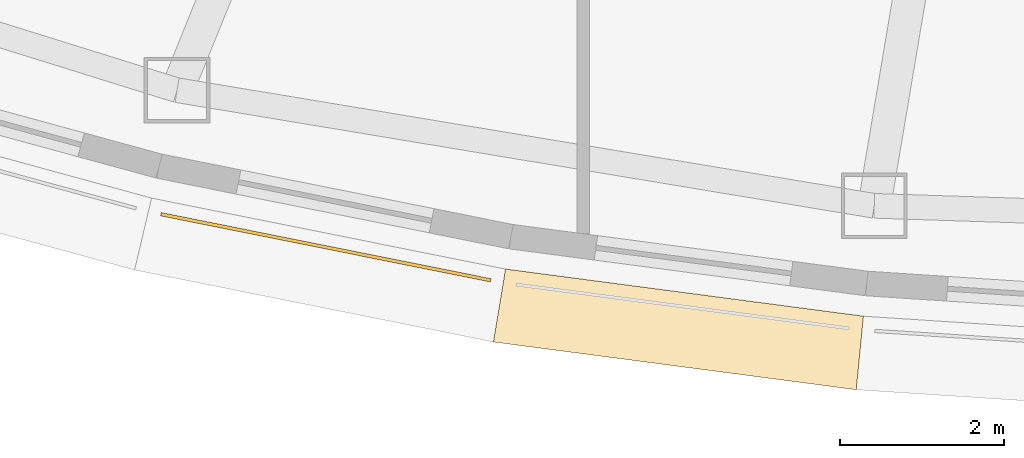
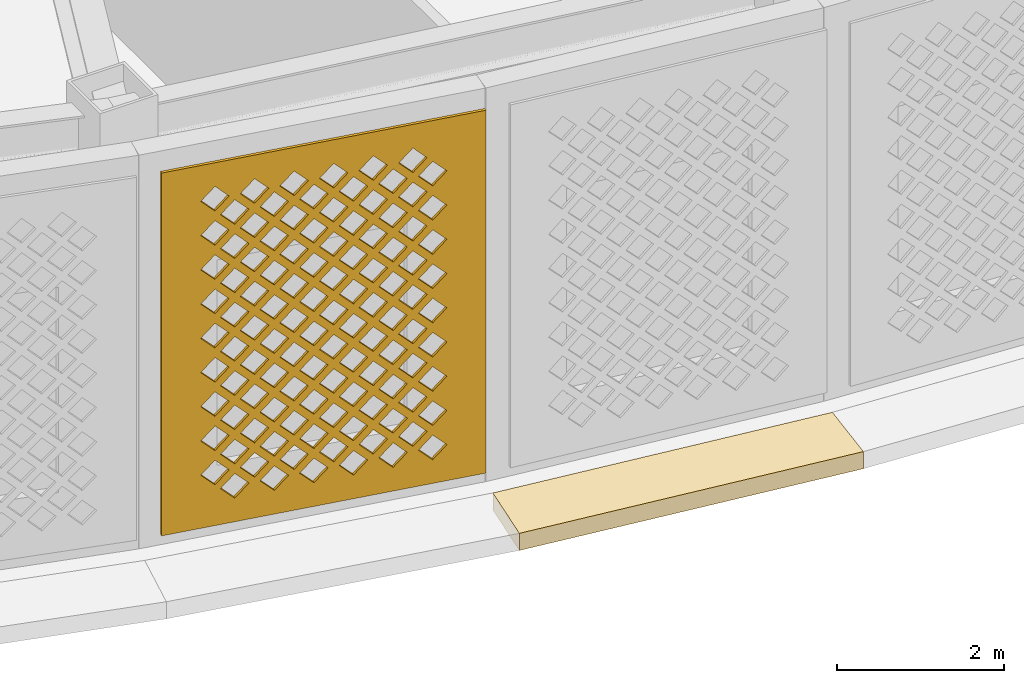
# One storey, part 55 of 74: 2 coverings.
"""IFC4 building model written with IfcOpenShell, lengths in metres."""

from ifc_helpers import new_model, si_unit, direction, frame, origin, place, context, subcontext, project, spatial, polyline, outline, extrude, material, layer, layer_set, type_object, element, save


model = new_model("IFC4")

# Units and contexts
model_context = context("Model", 3, precision=1e-05, world=origin(), true_north=direction((0.0, 1.0)))
body_context = subcontext(model_context, "Body", "Model", "MODEL_VIEW")
ifc_project = project(units=[si_unit("LENGTHUNIT", "METRE"), si_unit("AREAUNIT", "SQUARE_METRE"), si_unit("VOLUMEUNIT", "CUBIC_METRE"), si_unit("PLANEANGLEUNIT", "RADIAN"), si_unit("MASSUNIT", "GRAM", prefix="KILO")], contexts=[model_context])

# Site, building, storey
site_placement = place(None, origin())
site = spatial("IfcSite", under=ifc_project, at=site_placement, CompositionType="ELEMENT")
building_placement = place(site_placement, origin())
building = spatial("IfcBuilding", under=site, at=building_placement, Name="Noorbagh Ring Tower", CompositionType="ELEMENT")
storey_placement = place(building_placement, frame((0.0, 0.0, 13.5)))
storey = spatial("IfcBuildingStorey", under=building, at=storey_placement, Name="L02", CompositionType="ELEMENT", Elevation=13.5)

# Coverings
ifc_material_1 = material(Name="Red sandstone eave", Category="masonry")
covering_type_1 = type_object("IfcCoveringType", Name="STY-CHHAJJA", PredefinedType="USERDEFINED", material=ifc_material_1)
covering_1_placement = place(storey_placement, frame((0.0, 0.0, -0.25)))
element("IfcCovering", 1, at=covering_1_placement, inside=storey, type_object=covering_type_1, Name="Chhajja eave", ObjectType="CHHAJJA", PredefinedType="USERDEFINED", context=body_context, shape_type="SweptSolid", body=[
    extrude(outline(polyline([(-10.945556640625, -39.103759765625), (-6.586181640625, -39.677978515625), (-6.67431640625, -40.573974609375), (-11.093017578125, -39.9921875), (-10.945556640625, -39.103759765625)])), origin(), (0.0, 0.0, 1.0), 0.25),
])
ifc_material_2 = material(Name="Red sandstone jali", Category="masonry")
ifc_layer = layer(ifc_material_2, 0.0400390625)
ifc_layer_set = layer_set([ifc_layer], Name="Red sandstone jali")
covering_type_2 = type_object("IfcCoveringType", Name="STY-JALI", PredefinedType="USERDEFINED", material=ifc_layer_set)
covering_2_placement = place(storey_placement, frame((-15.147216796875, -38.455322265625, 0.449951171875), z_axis=(-0.196528665711, -0.980498079322, 0.0), x_axis=(0.980498079322, -0.196528665711, 0.0)))
element("IfcCovering", 2, at=covering_2_placement, inside=storey, type_object=covering_type_2, Name="Jali screen", ObjectType="SCREEN", PredefinedType="USERDEFINED", context=body_context, shape_type="SweptSolid", body=[
    extrude(outline(polyline([(0.0, 0.0), (4.096923828125, 0.0), (4.096923828125, 5.300048828125), (0.0, 5.300048828125), (0.0, 0.0)]), holes=[polyline([(0.743408203125, 0.52490234375), (0.923583984375, 0.344970703125), (1.103515625, 0.52490234375), (0.923583984375, 0.705078125), (0.743408203125, 0.52490234375)]), polyline([(1.243408203125, 0.52490234375), (1.423583984375, 0.344970703125), (1.603515625, 0.52490234375), (1.423583984375, 0.705078125), (1.243408203125, 0.52490234375)]), polyline([(1.743408203125, 0.52490234375), (1.923583984375, 0.344970703125), (2.103515625, 0.52490234375), (1.923583984375, 0.705078125), (1.743408203125, 0.52490234375)]), polyline([(2.243408203125, 0.52490234375), (2.423583984375, 0.344970703125), (2.603515625, 0.52490234375), (2.423583984375, 0.705078125), (2.243408203125, 0.52490234375)]), polyline([(2.743408203125, 0.52490234375), (2.923583984375, 0.344970703125), (3.103515625, 0.52490234375), (2.923583984375, 0.705078125), (2.743408203125, 0.52490234375)]), polyline([(3.243408203125, 0.52490234375), (3.423583984375, 0.344970703125), (3.603515625, 0.52490234375), (3.423583984375, 0.705078125), (3.243408203125, 0.52490234375)]), polyline([(0.493408203125, 0.77490234375), (0.673583984375, 0.594970703125), (0.853515625, 0.77490234375), (0.673583984375, 0.955078125), (0.493408203125, 0.77490234375)]), polyline([(0.993408203125, 0.77490234375), (1.173583984375, 0.594970703125), (1.353515625, 0.77490234375), (1.173583984375, 0.955078125), (0.993408203125, 0.77490234375)]), polyline([(1.493408203125, 0.77490234375), (1.673583984375, 0.594970703125), (1.853515625, 0.77490234375), (1.673583984375, 0.955078125), (1.493408203125, 0.77490234375)]), polyline([(1.993408203125, 0.77490234375), (2.173583984375, 0.594970703125), (2.353515625, 0.77490234375), (2.173583984375, 0.955078125), (1.993408203125, 0.77490234375)]), polyline([(2.493408203125, 0.77490234375), (2.673583984375, 0.594970703125), (2.853515625, 0.77490234375), (2.673583984375, 0.955078125), (2.493408203125, 0.77490234375)]), polyline([(2.993408203125, 0.77490234375), (3.173583984375, 0.594970703125), (3.353515625, 0.77490234375), (3.173583984375, 0.955078125), (2.993408203125, 0.77490234375)]), polyline([(0.743408203125, 1.02490234375), (0.923583984375, 0.844970703125), (1.103515625, 1.02490234375), (0.923583984375, 1.205078125), (0.743408203125, 1.02490234375)]), polyline([(1.243408203125, 1.02490234375), (1.423583984375, 0.844970703125), (1.603515625, 1.02490234375), (1.423583984375, 1.205078125), (1.243408203125, 1.02490234375)]), polyline([(1.743408203125, 1.02490234375), (1.923583984375, 0.844970703125), (2.103515625, 1.02490234375), (1.923583984375, 1.205078125), (1.743408203125, 1.02490234375)]), polyline([(2.243408203125, 1.02490234375), (2.423583984375, 0.844970703125), (2.603515625, 1.02490234375), (2.423583984375, 1.205078125), (2.243408203125, 1.02490234375)]), polyline([(2.743408203125, 1.02490234375), (2.923583984375, 0.844970703125), (3.103515625, 1.02490234375), (2.923583984375, 1.205078125), (2.743408203125, 1.02490234375)]), polyline([(3.243408203125, 1.02490234375), (3.423583984375, 0.844970703125), (3.603515625, 1.02490234375), (3.423583984375, 1.205078125), (3.243408203125, 1.02490234375)]), polyline([(0.493408203125, 1.27490234375), (0.673583984375, 1.094970703125), (0.853515625, 1.27490234375), (0.673583984375, 1.455078125), (0.493408203125, 1.27490234375)]), polyline([(0.993408203125, 1.27490234375), (1.173583984375, 1.094970703125), (1.353515625, 1.27490234375), (1.173583984375, 1.455078125), (0.993408203125, 1.27490234375)]), polyline([(1.493408203125, 1.27490234375), (1.673583984375, 1.094970703125), (1.853515625, 1.27490234375), (1.673583984375, 1.455078125), (1.493408203125, 1.27490234375)]), polyline([(1.993408203125, 1.27490234375), (2.173583984375, 1.094970703125), (2.353515625, 1.27490234375), (2.173583984375, 1.455078125), (1.993408203125, 1.27490234375)]), polyline([(2.493408203125, 1.27490234375), (2.673583984375, 1.094970703125), (2.853515625, 1.27490234375), (2.673583984375, 1.455078125), (2.493408203125, 1.27490234375)]), polyline([(2.993408203125, 1.27490234375), (3.173583984375, 1.094970703125), (3.353515625, 1.27490234375), (3.173583984375, 1.455078125), (2.993408203125, 1.27490234375)]), polyline([(0.743408203125, 1.52490234375), (0.923583984375, 1.344970703125), (1.103515625, 1.52490234375), (0.923583984375, 1.705078125), (0.743408203125, 1.52490234375)]), polyline([(1.243408203125, 1.52490234375), (1.423583984375, 1.344970703125), (1.603515625, 1.52490234375), (1.423583984375, 1.705078125), (1.243408203125, 1.52490234375)]), polyline([(1.743408203125, 1.52490234375), (1.923583984375, 1.344970703125), (2.103515625, 1.52490234375), (1.923583984375, 1.705078125), (1.743408203125, 1.52490234375)]), polyline([(2.243408203125, 1.52490234375), (2.423583984375, 1.344970703125), (2.603515625, 1.52490234375), (2.423583984375, 1.705078125), (2.243408203125, 1.52490234375)]), polyline([(2.743408203125, 1.52490234375), (2.923583984375, 1.344970703125), (3.103515625, 1.52490234375), (2.923583984375, 1.705078125), (2.743408203125, 1.52490234375)]), polyline([(3.243408203125, 1.52490234375), (3.423583984375, 1.344970703125), (3.603515625, 1.52490234375), (3.423583984375, 1.705078125), (3.243408203125, 1.52490234375)]), polyline([(0.493408203125, 1.77490234375), (0.673583984375, 1.594970703125), (0.853515625, 1.77490234375), (0.673583984375, 1.955078125), (0.493408203125, 1.77490234375)]), polyline([(0.993408203125, 1.77490234375), (1.173583984375, 1.594970703125), (1.353515625, 1.77490234375), (1.173583984375, 1.955078125), (0.993408203125, 1.77490234375)]), polyline([(1.493408203125, 1.77490234375), (1.673583984375, 1.594970703125), (1.853515625, 1.77490234375), (1.673583984375, 1.955078125), (1.493408203125, 1.77490234375)]), polyline([(1.993408203125, 1.77490234375), (2.173583984375, 1.594970703125), (2.353515625, 1.77490234375), (2.173583984375, 1.955078125), (1.993408203125, 1.77490234375)]), polyline([(2.493408203125, 1.77490234375), (2.673583984375, 1.594970703125), (2.853515625, 1.77490234375), (2.673583984375, 1.955078125), (2.493408203125, 1.77490234375)]), polyline([(2.993408203125, 1.77490234375), (3.173583984375, 1.594970703125), (3.353515625, 1.77490234375), (3.173583984375, 1.955078125), (2.993408203125, 1.77490234375)]), polyline([(0.743408203125, 2.02490234375), (0.923583984375, 1.844970703125), (1.103515625, 2.02490234375), (0.923583984375, 2.205078125), (0.743408203125, 2.02490234375)]), polyline([(1.243408203125, 2.02490234375), (1.423583984375, 1.844970703125), (1.603515625, 2.02490234375), (1.423583984375, 2.205078125), (1.243408203125, 2.02490234375)]), polyline([(1.743408203125, 2.02490234375), (1.923583984375, 1.844970703125), (2.103515625, 2.02490234375), (1.923583984375, 2.205078125), (1.743408203125, 2.02490234375)]), polyline([(2.243408203125, 2.02490234375), (2.423583984375, 1.844970703125), (2.603515625, 2.02490234375), (2.423583984375, 2.205078125), (2.243408203125, 2.02490234375)]), polyline([(2.743408203125, 2.02490234375), (2.923583984375, 1.844970703125), (3.103515625, 2.02490234375), (2.923583984375, 2.205078125), (2.743408203125, 2.02490234375)]), polyline([(3.243408203125, 2.02490234375), (3.423583984375, 1.844970703125), (3.603515625, 2.02490234375), (3.423583984375, 2.205078125), (3.243408203125, 2.02490234375)]), polyline([(0.493408203125, 2.27490234375), (0.673583984375, 2.094970703125), (0.853515625, 2.27490234375), (0.673583984375, 2.455078125), (0.493408203125, 2.27490234375)]), polyline([(0.993408203125, 2.27490234375), (1.173583984375, 2.094970703125), (1.353515625, 2.27490234375), (1.173583984375, 2.455078125), (0.993408203125, 2.27490234375)]), polyline([(1.493408203125, 2.27490234375), (1.673583984375, 2.094970703125), (1.853515625, 2.27490234375), (1.673583984375, 2.455078125), (1.493408203125, 2.27490234375)]), polyline([(1.993408203125, 2.27490234375), (2.173583984375, 2.094970703125), (2.353515625, 2.27490234375), (2.173583984375, 2.455078125), (1.993408203125, 2.27490234375)]), polyline([(2.493408203125, 2.27490234375), (2.673583984375, 2.094970703125), (2.853515625, 2.27490234375), (2.673583984375, 2.455078125), (2.493408203125, 2.27490234375)]), polyline([(2.993408203125, 2.27490234375), (3.173583984375, 2.094970703125), (3.353515625, 2.27490234375), (3.173583984375, 2.455078125), (2.993408203125, 2.27490234375)]), polyline([(0.743408203125, 2.52490234375), (0.923583984375, 2.344970703125), (1.103515625, 2.52490234375), (0.923583984375, 2.705078125), (0.743408203125, 2.52490234375)]), polyline([(1.243408203125, 2.52490234375), (1.423583984375, 2.344970703125), (1.603515625, 2.52490234375), (1.423583984375, 2.705078125), (1.243408203125, 2.52490234375)]), polyline([(1.743408203125, 2.52490234375), (1.923583984375, 2.344970703125), (2.103515625, 2.52490234375), (1.923583984375, 2.705078125), (1.743408203125, 2.52490234375)]), polyline([(2.243408203125, 2.52490234375), (2.423583984375, 2.344970703125), (2.603515625, 2.52490234375), (2.423583984375, 2.705078125), (2.243408203125, 2.52490234375)]), polyline([(2.743408203125, 2.52490234375), (2.923583984375, 2.344970703125), (3.103515625, 2.52490234375), (2.923583984375, 2.705078125), (2.743408203125, 2.52490234375)]), polyline([(3.243408203125, 2.52490234375), (3.423583984375, 2.344970703125), (3.603515625, 2.52490234375), (3.423583984375, 2.705078125), (3.243408203125, 2.52490234375)]), polyline([(0.493408203125, 2.77490234375), (0.673583984375, 2.594970703125), (0.853515625, 2.77490234375), (0.673583984375, 2.955078125), (0.493408203125, 2.77490234375)]), polyline([(0.993408203125, 2.77490234375), (1.173583984375, 2.594970703125), (1.353515625, 2.77490234375), (1.173583984375, 2.955078125), (0.993408203125, 2.77490234375)]), polyline([(1.493408203125, 2.77490234375), (1.673583984375, 2.594970703125), (1.853515625, 2.77490234375), (1.673583984375, 2.955078125), (1.493408203125, 2.77490234375)]), polyline([(1.993408203125, 2.77490234375), (2.173583984375, 2.594970703125), (2.353515625, 2.77490234375), (2.173583984375, 2.955078125), (1.993408203125, 2.77490234375)]), polyline([(2.493408203125, 2.77490234375), (2.673583984375, 2.594970703125), (2.853515625, 2.77490234375), (2.673583984375, 2.955078125), (2.493408203125, 2.77490234375)]), polyline([(2.993408203125, 2.77490234375), (3.173583984375, 2.594970703125), (3.353515625, 2.77490234375), (3.173583984375, 2.955078125), (2.993408203125, 2.77490234375)]), polyline([(0.743408203125, 3.02490234375), (0.923583984375, 2.844970703125), (1.103515625, 3.02490234375), (0.923583984375, 3.205078125), (0.743408203125, 3.02490234375)]), polyline([(1.243408203125, 3.02490234375), (1.423583984375, 2.844970703125), (1.603515625, 3.02490234375), (1.423583984375, 3.205078125), (1.243408203125, 3.02490234375)]), polyline([(1.743408203125, 3.02490234375), (1.923583984375, 2.844970703125), (2.103515625, 3.02490234375), (1.923583984375, 3.205078125), (1.743408203125, 3.02490234375)]), polyline([(2.243408203125, 3.02490234375), (2.423583984375, 2.844970703125), (2.603515625, 3.02490234375), (2.423583984375, 3.205078125), (2.243408203125, 3.02490234375)]), polyline([(2.743408203125, 3.02490234375), (2.923583984375, 2.844970703125), (3.103515625, 3.02490234375), (2.923583984375, 3.205078125), (2.743408203125, 3.02490234375)]), polyline([(3.243408203125, 3.02490234375), (3.423583984375, 2.844970703125), (3.603515625, 3.02490234375), (3.423583984375, 3.205078125), (3.243408203125, 3.02490234375)]), polyline([(0.493408203125, 3.27490234375), (0.673583984375, 3.094970703125), (0.853515625, 3.27490234375), (0.673583984375, 3.455078125), (0.493408203125, 3.27490234375)]), polyline([(0.993408203125, 3.27490234375), (1.173583984375, 3.094970703125), (1.353515625, 3.27490234375), (1.173583984375, 3.455078125), (0.993408203125, 3.27490234375)]), polyline([(1.493408203125, 3.27490234375), (1.673583984375, 3.094970703125), (1.853515625, 3.27490234375), (1.673583984375, 3.455078125), (1.493408203125, 3.27490234375)]), polyline([(1.993408203125, 3.27490234375), (2.173583984375, 3.094970703125), (2.353515625, 3.27490234375), (2.173583984375, 3.455078125), (1.993408203125, 3.27490234375)]), polyline([(2.493408203125, 3.27490234375), (2.673583984375, 3.094970703125), (2.853515625, 3.27490234375), (2.673583984375, 3.455078125), (2.493408203125, 3.27490234375)]), polyline([(2.993408203125, 3.27490234375), (3.173583984375, 3.094970703125), (3.353515625, 3.27490234375), (3.173583984375, 3.455078125), (2.993408203125, 3.27490234375)]), polyline([(0.743408203125, 3.52490234375), (0.923583984375, 3.344970703125), (1.103515625, 3.52490234375), (0.923583984375, 3.705078125), (0.743408203125, 3.52490234375)]), polyline([(1.243408203125, 3.52490234375), (1.423583984375, 3.344970703125), (1.603515625, 3.52490234375), (1.423583984375, 3.705078125), (1.243408203125, 3.52490234375)]), polyline([(1.743408203125, 3.52490234375), (1.923583984375, 3.344970703125), (2.103515625, 3.52490234375), (1.923583984375, 3.705078125), (1.743408203125, 3.52490234375)]), polyline([(2.243408203125, 3.52490234375), (2.423583984375, 3.344970703125), (2.603515625, 3.52490234375), (2.423583984375, 3.705078125), (2.243408203125, 3.52490234375)]), polyline([(2.743408203125, 3.52490234375), (2.923583984375, 3.344970703125), (3.103515625, 3.52490234375), (2.923583984375, 3.705078125), (2.743408203125, 3.52490234375)]), polyline([(3.243408203125, 3.52490234375), (3.423583984375, 3.344970703125), (3.603515625, 3.52490234375), (3.423583984375, 3.705078125), (3.243408203125, 3.52490234375)]), polyline([(0.493408203125, 3.77490234375), (0.673583984375, 3.594970703125), (0.853515625, 3.77490234375), (0.673583984375, 3.955078125), (0.493408203125, 3.77490234375)]), polyline([(0.993408203125, 3.77490234375), (1.173583984375, 3.594970703125), (1.353515625, 3.77490234375), (1.173583984375, 3.955078125), (0.993408203125, 3.77490234375)]), polyline([(1.493408203125, 3.77490234375), (1.673583984375, 3.594970703125), (1.853515625, 3.77490234375), (1.673583984375, 3.955078125), (1.493408203125, 3.77490234375)]), polyline([(1.993408203125, 3.77490234375), (2.173583984375, 3.594970703125), (2.353515625, 3.77490234375), (2.173583984375, 3.955078125), (1.993408203125, 3.77490234375)]), polyline([(2.493408203125, 3.77490234375), (2.673583984375, 3.594970703125), (2.853515625, 3.77490234375), (2.673583984375, 3.955078125), (2.493408203125, 3.77490234375)]), polyline([(2.993408203125, 3.77490234375), (3.173583984375, 3.594970703125), (3.353515625, 3.77490234375), (3.173583984375, 3.955078125), (2.993408203125, 3.77490234375)]), polyline([(0.743408203125, 4.02490234375), (0.923583984375, 3.844970703125), (1.103515625, 4.02490234375), (0.923583984375, 4.205078125), (0.743408203125, 4.02490234375)]), polyline([(1.243408203125, 4.02490234375), (1.423583984375, 3.844970703125), (1.603515625, 4.02490234375), (1.423583984375, 4.205078125), (1.243408203125, 4.02490234375)]), polyline([(1.743408203125, 4.02490234375), (1.923583984375, 3.844970703125), (2.103515625, 4.02490234375), (1.923583984375, 4.205078125), (1.743408203125, 4.02490234375)]), polyline([(2.243408203125, 4.02490234375), (2.423583984375, 3.844970703125), (2.603515625, 4.02490234375), (2.423583984375, 4.205078125), (2.243408203125, 4.02490234375)]), polyline([(2.743408203125, 4.02490234375), (2.923583984375, 3.844970703125), (3.103515625, 4.02490234375), (2.923583984375, 4.205078125), (2.743408203125, 4.02490234375)]), polyline([(3.243408203125, 4.02490234375), (3.423583984375, 3.844970703125), (3.603515625, 4.02490234375), (3.423583984375, 4.205078125), (3.243408203125, 4.02490234375)]), polyline([(0.493408203125, 4.27490234375), (0.673583984375, 4.094970703125), (0.853515625, 4.27490234375), (0.673583984375, 4.455078125), (0.493408203125, 4.27490234375)]), polyline([(0.993408203125, 4.27490234375), (1.173583984375, 4.094970703125), (1.353515625, 4.27490234375), (1.173583984375, 4.455078125), (0.993408203125, 4.27490234375)]), polyline([(1.493408203125, 4.27490234375), (1.673583984375, 4.094970703125), (1.853515625, 4.27490234375), (1.673583984375, 4.455078125), (1.493408203125, 4.27490234375)]), polyline([(1.993408203125, 4.27490234375), (2.173583984375, 4.094970703125), (2.353515625, 4.27490234375), (2.173583984375, 4.455078125), (1.993408203125, 4.27490234375)]), polyline([(2.493408203125, 4.27490234375), (2.673583984375, 4.094970703125), (2.853515625, 4.27490234375), (2.673583984375, 4.455078125), (2.493408203125, 4.27490234375)]), polyline([(2.993408203125, 4.27490234375), (3.173583984375, 4.094970703125), (3.353515625, 4.27490234375), (3.173583984375, 4.455078125), (2.993408203125, 4.27490234375)]), polyline([(0.743408203125, 4.52490234375), (0.923583984375, 4.344970703125), (1.103515625, 4.52490234375), (0.923583984375, 4.705078125), (0.743408203125, 4.52490234375)]), polyline([(1.243408203125, 4.52490234375), (1.423583984375, 4.344970703125), (1.603515625, 4.52490234375), (1.423583984375, 4.705078125), (1.243408203125, 4.52490234375)]), polyline([(1.743408203125, 4.52490234375), (1.923583984375, 4.344970703125), (2.103515625, 4.52490234375), (1.923583984375, 4.705078125), (1.743408203125, 4.52490234375)]), polyline([(2.243408203125, 4.52490234375), (2.423583984375, 4.344970703125), (2.603515625, 4.52490234375), (2.423583984375, 4.705078125), (2.243408203125, 4.52490234375)]), polyline([(2.743408203125, 4.52490234375), (2.923583984375, 4.344970703125), (3.103515625, 4.52490234375), (2.923583984375, 4.705078125), (2.743408203125, 4.52490234375)]), polyline([(3.243408203125, 4.52490234375), (3.423583984375, 4.344970703125), (3.603515625, 4.52490234375), (3.423583984375, 4.705078125), (3.243408203125, 4.52490234375)]), polyline([(0.493408203125, 4.77490234375), (0.673583984375, 4.594970703125), (0.853515625, 4.77490234375), (0.673583984375, 4.955078125), (0.493408203125, 4.77490234375)]), polyline([(0.993408203125, 4.77490234375), (1.173583984375, 4.594970703125), (1.353515625, 4.77490234375), (1.173583984375, 4.955078125), (0.993408203125, 4.77490234375)]), polyline([(1.493408203125, 4.77490234375), (1.673583984375, 4.594970703125), (1.853515625, 4.77490234375), (1.673583984375, 4.955078125), (1.493408203125, 4.77490234375)]), polyline([(1.993408203125, 4.77490234375), (2.173583984375, 4.594970703125), (2.353515625, 4.77490234375), (2.173583984375, 4.955078125), (1.993408203125, 4.77490234375)]), polyline([(2.493408203125, 4.77490234375), (2.673583984375, 4.594970703125), (2.853515625, 4.77490234375), (2.673583984375, 4.955078125), (2.493408203125, 4.77490234375)]), polyline([(2.993408203125, 4.77490234375), (3.173583984375, 4.594970703125), (3.353515625, 4.77490234375), (3.173583984375, 4.955078125), (2.993408203125, 4.77490234375)])]), origin(), (0.0, 0.0, -1.0), 0.0400390625),
])

save(model, "model.ifc")
